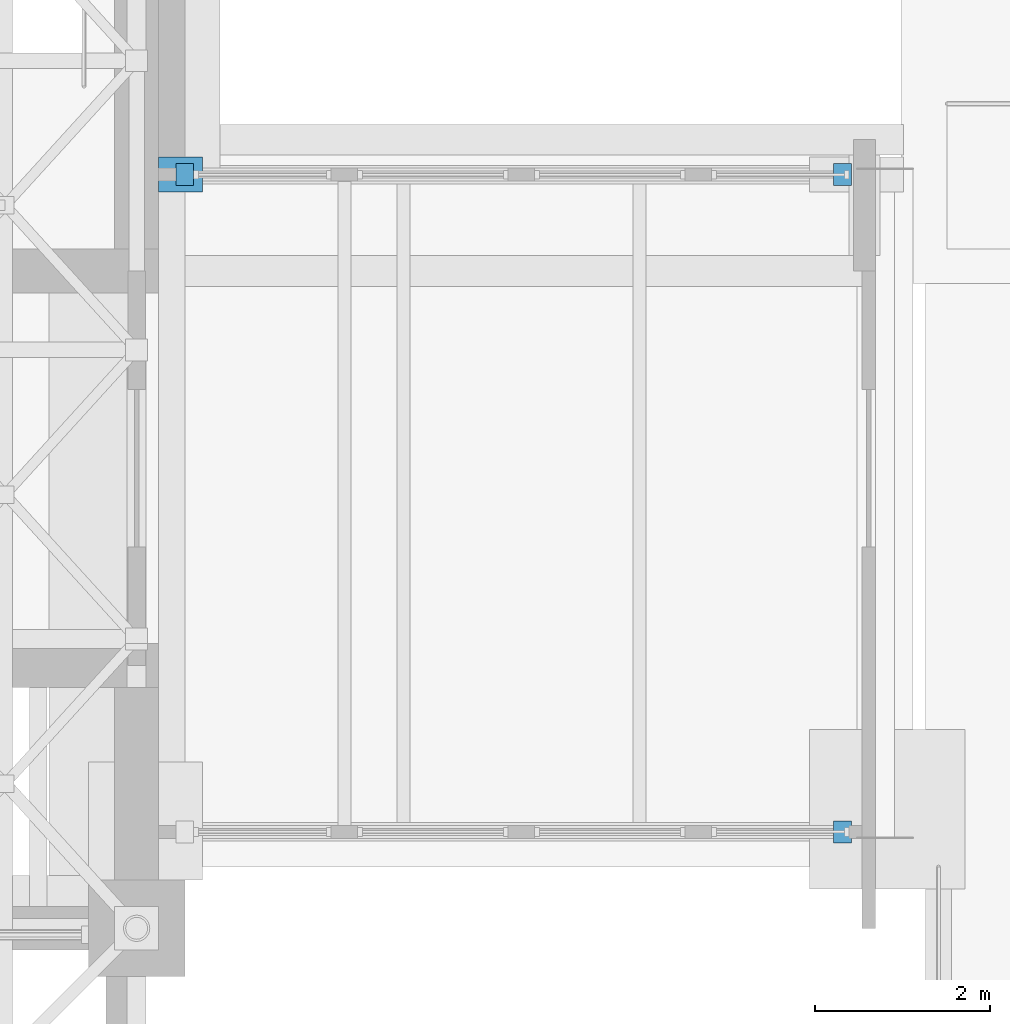
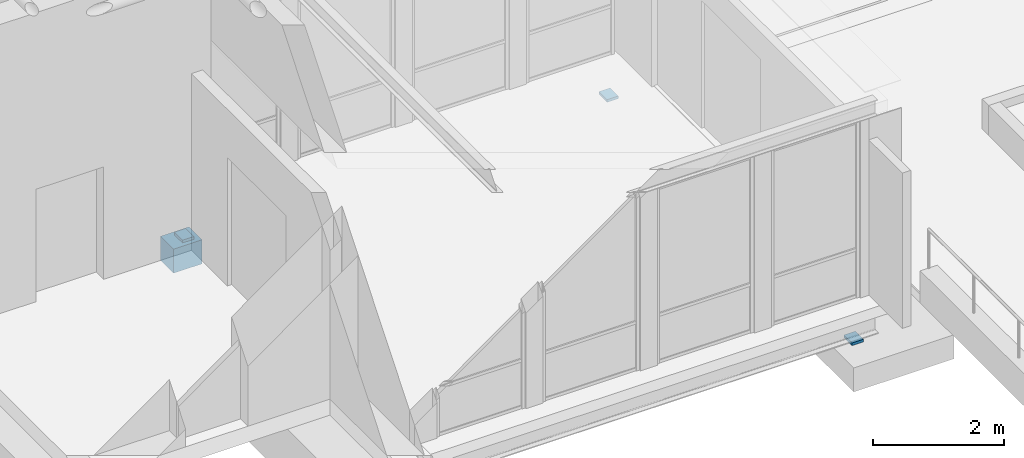
# One storey, part 18 of 53: 4 members.
"""IFC4 building model written with IfcOpenShell, lengths in metres."""

from ifc_helpers import new_model, si_unit, direction, frame, origin, origin_2d, place, context, subcontext, project, spatial, rectangle, extrude, material, material_profile, profile_set, type_object, element, save


model = new_model("IFC4")

# Units and contexts
model_context = context("Model", 3, precision=1e-05, world=origin(), true_north=direction((0.0, 1.0)))
body_context = subcontext(model_context, "Body", "Model", "MODEL_VIEW")
ifc_project = project(units=[si_unit("LENGTHUNIT", "METRE"), si_unit("AREAUNIT", "SQUARE_METRE"), si_unit("VOLUMEUNIT", "CUBIC_METRE"), si_unit("PLANEANGLEUNIT", "RADIAN"), si_unit("MASSUNIT", "GRAM", prefix="KILO")], contexts=[model_context])

# Site, building, storey
site_placement = place(None, origin())
site = spatial("IfcSite", under=ifc_project, at=site_placement, CompositionType="ELEMENT")
building_placement = place(site_placement, origin())
building = spatial("IfcBuilding", under=site, at=building_placement, Name="Aurelan Courthouse", CompositionType="ELEMENT")
storey_placement = place(building_placement, frame((0.0, 0.0, 12.0)))
storey = spatial("IfcBuildingStorey", under=building, at=storey_placement, Name="L02", CompositionType="ELEMENT", Elevation=12.0)

# Members
ifc_material_1 = material(Name="Steel-laminated elastomeric bearing, S355 steel shims", Category="steel")
ifc_material_profile_1 = material_profile(ifc_material_1, rectangle(XDim=0.199951171875, YDim=0.25, at=origin_2d()), Name="PL 200 x 250")
ifc_profile_set_1 = profile_set([ifc_material_profile_1], Name="Steel-laminated elastomeric bearing, S355 steel shims")
member_type_1 = type_object("IfcMemberType", Name="Bridge fixed bearing 200 x 250 x 50", PredefinedType="USERDEFINED", material=ifc_profile_set_1)
member_1_placement = place(storey_placement, frame((63.550048828125, 20.60009765625, -0.800048828125), z_axis=(0.0, 0.0, 1.0), x_axis=(1.0, 0.0, 0.0)))
element("IfcMember", 1, at=member_1_placement, inside=storey, type_object=member_type_1, Name="Bridge fixed bearing BRF-4", ObjectType="BEARING", PredefinedType="USERDEFINED", context=body_context, shape_type="SweptSolid", body=[
    extrude(rectangle(XDim=0.199951171875, YDim=0.25, at=origin_2d()), origin(), (0.0, 0.0, 1.0), 0.050048828125),
])
ifc_material_2 = material(Name="Stainless steel and PTFE sliding bearing, S355 backing plate", Category="steel")
ifc_material_profile_2 = material_profile(ifc_material_2, rectangle(XDim=0.199951171875, YDim=0.25, at=origin_2d()), Name="PL 200 x 250")
ifc_profile_set_2 = profile_set([ifc_material_profile_2], Name="Stainless steel and PTFE sliding bearing, S355 backing plate")
member_type_2 = type_object("IfcMemberType", Name="Bridge sliding bearing 200 x 250 x 50", PredefinedType="USERDEFINED", material=ifc_profile_set_2)
for number, where, z_axis, x_axis, name in (
    (2, (71.054931640625, 13.10009765625, -0.800048828125), (0.0, 0.0, 1.0), (1.0, 0.0, 0.0), "Bridge sliding bearing BRS-3"),
    (3, (71.054931640625, 20.60009765625, -0.800048828125), (0.0, 0.0, 1.0), (1.0, 0.0, 0.0), "Bridge sliding bearing BRS-4"),
):
    element("IfcMember", number, at=place(storey_placement, frame(where, z_axis=z_axis, x_axis=x_axis)), inside=storey, type_object=member_type_2, Name=name, ObjectType="BEARING", PredefinedType="USERDEFINED", context=body_context, shape_type="SweptSolid", body=[
        extrude(rectangle(XDim=0.199951171875, YDim=0.25, at=origin_2d()), origin(), (0.0, 0.0, 1.0), 0.050048828125),
    ])
ifc_material_3 = material(Name="Concrete C50", Category="concrete")
member_type_3 = type_object("IfcMemberType", Name="Corbel 500 x 400 x 450", PredefinedType="USERDEFINED", material=ifc_material_3)
member_2_placement = place(storey_placement, frame((63.5, 20.60009765625, -1.25), z_axis=(0.0, 0.0, 1.0), x_axis=(1.0, 0.0, 0.0)))
element("IfcMember", 4, at=member_2_placement, inside=storey, type_object=member_type_3, Name="Corbel CO-7", ObjectType="CORBEL", PredefinedType="USERDEFINED", context=body_context, shape_type="SweptSolid", body=[
    extrude(rectangle(XDim=0.5, YDim=0.39990234375, at=origin_2d()), origin(), (0.0, 0.0, 1.0), 0.449951171875),
])

save(model, "model.ifc")
